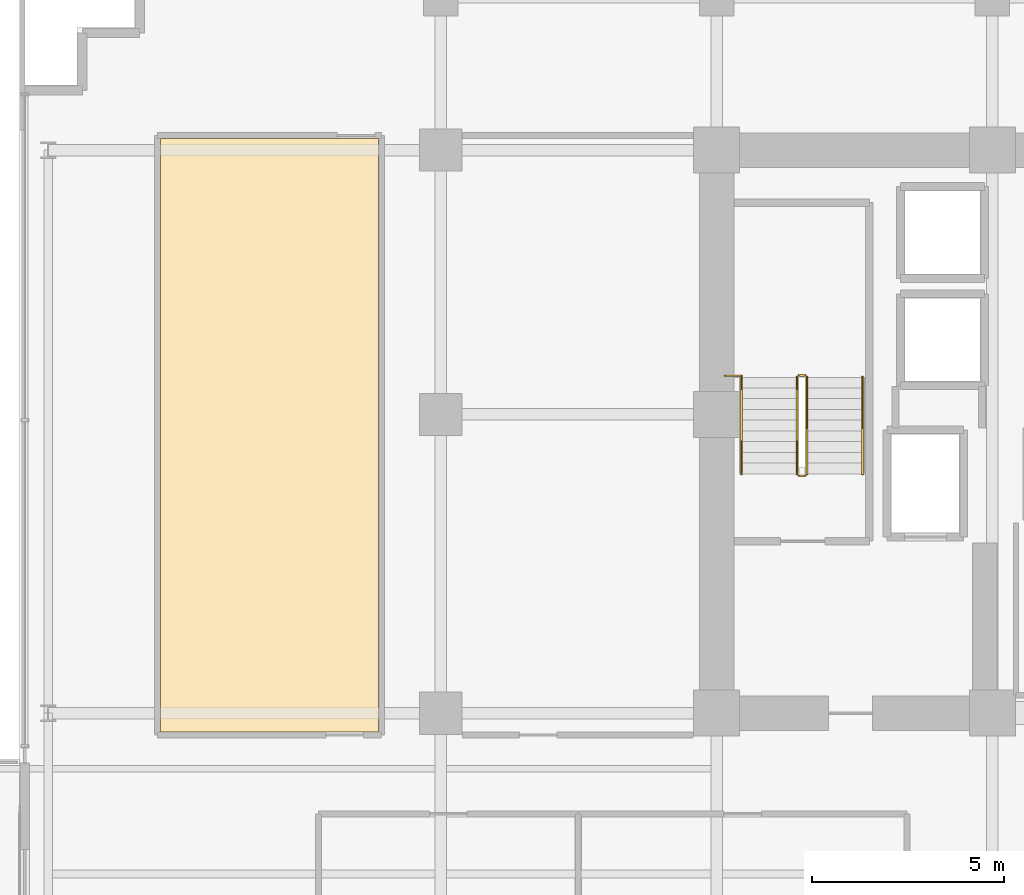
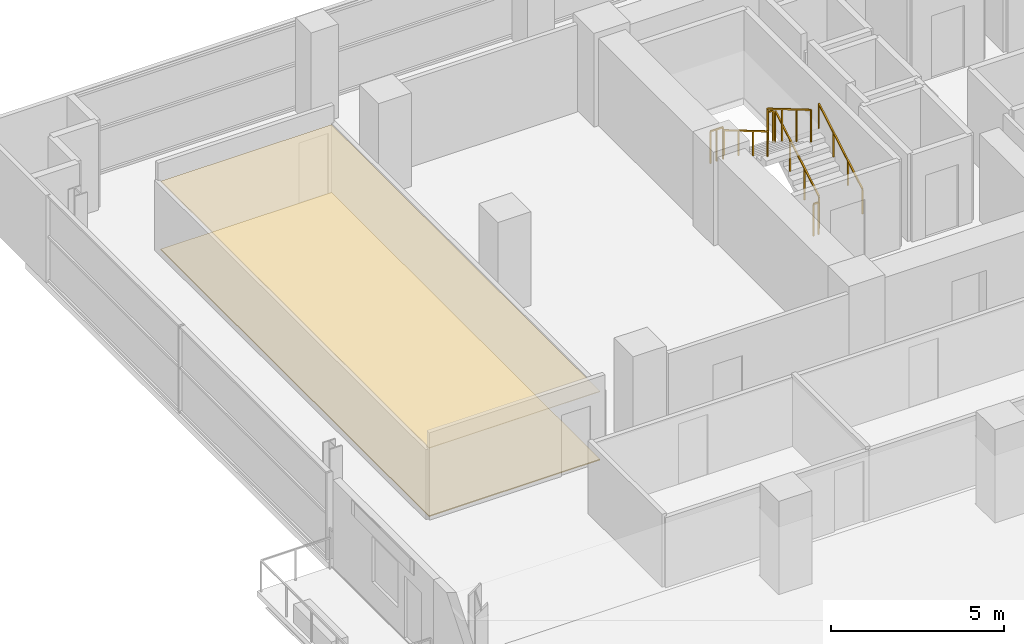
# One storey, part 28 of 31: 7 railings, 2 coverings.
"""IFC4 building model written with IfcOpenShell, lengths in metres."""

import ifcopenshell
import ifcopenshell.guid

model = None  # the IFC model being written
_history = None  # IfcOwnerHistory: only IFC2X3 demands one
_inside = {}  # id of a spatial element -> (the spatial element, [elements in it])
_under = {}  # id of a project, library or spatial element -> (it, [spatial elements below it])
_declared = {}  # id of a project -> (the project, [libraries it declares])
_typed = {}  # id of a type object -> (the type object, [elements of that type])
_made_of = {}  # id of a material, layer set ... -> (it, [elements and type objects made of it])


def new_model(schema):
    """Start an empty IFC model of exactly this schema.

    Asked for "IFC4X3", IfcOpenShell would pick the latest addendum, in which some entities
    have other attributes; the version numbers below select the first issue.
    IFC2X3 requires an IfcOwnerHistory on every rooted entity: one is made here for all.
    """
    global model, _history
    if schema == "IFC4X3":
        model = ifcopenshell.file(schema_version=(4, 3, 0, 0))
    else:
        model = ifcopenshell.file(schema=schema)
    _inside.clear()
    _under.clear()
    _declared.clear()
    _typed.clear()
    _made_of.clear()
    _history = None
    if model.schema == "IFC2X3":
        org = make("IfcOrganization", Name="unknown")
        user = make(
            "IfcPersonAndOrganization",
            ThePerson=make("IfcPerson", FamilyName="unknown"),
            TheOrganization=org,
        )
        app = make(
            "IfcApplication",
            ApplicationDeveloper=org,
            Version="unknown",
            ApplicationFullName="unknown",
            ApplicationIdentifier="unknown",
        )
        _history = make(
            "IfcOwnerHistory",
            OwningUser=user,
            OwningApplication=app,
            ChangeAction="ADDED",
            CreationDate=0,
        )
    return model


def make(cls, **values):
    """One entity of the class cls with the attributes given. An attribute that is None is left unset."""
    return model.create_entity(
        cls, **{name: value for name, value in values.items() if value is not None}
    )


def rooted(cls, **values):
    """An entity with a GlobalId (a new one), such as an element, a storey or a relation."""
    return make(cls, GlobalId=ifcopenshell.guid.new(), OwnerHistory=_history, **values)


def si_unit(unit_type, name, prefix=None):
    """IfcSIUnit, for example si_unit("LENGTHUNIT", "METRE", prefix="MILLI")."""
    return make("IfcSIUnit", UnitType=unit_type, Prefix=prefix, Name=name)


def assignment(units):
    """IfcUnitAssignment: the units of a project."""
    return None if units is None else make("IfcUnitAssignment", Units=units)


def point(xyz):
    """IfcCartesianPoint."""
    return None if xyz is None else make("IfcCartesianPoint", Coordinates=xyz)


def direction(xyz):
    """IfcDirection."""
    return None if xyz is None else make("IfcDirection", DirectionRatios=xyz)


def frame(location, z_axis=None, x_axis=None):
    """IfcAxis2Placement3D, a coordinate frame: its origin and axes. An axis left out is left unset."""
    return make(
        "IfcAxis2Placement3D",
        Location=point(location),
        Axis=direction(z_axis),
        RefDirection=direction(x_axis),
    )


def frame_2d(location, x_axis=None):
    """IfcAxis2Placement2D, a coordinate frame in the plane: its origin and x axis."""
    return make(
        "IfcAxis2Placement2D", Location=point(location), RefDirection=direction(x_axis)
    )


def origin():
    """The frame at (0, 0, 0) with its axes left unset."""
    return frame((0.0, 0.0, 0.0))


def origin_2d():
    """The frame at (0, 0) in the plane with its x axis left unset."""
    return frame_2d((0.0, 0.0))


def place(relative_to, where):
    """IfcLocalPlacement: puts the frame where relative to a parent placement (None: the world)."""
    return make(
        "IfcLocalPlacement", PlacementRelTo=relative_to, RelativePlacement=where
    )


def context(
    kind, dimensions, precision=None, world=None, true_north=None, identifier=None
):
    """IfcGeometricRepresentationContext, for example the 3D "Model" context."""
    return make(
        "IfcGeometricRepresentationContext",
        ContextIdentifier=identifier,
        ContextType=kind,
        CoordinateSpaceDimension=dimensions,
        Precision=precision,
        WorldCoordinateSystem=world,
        TrueNorth=true_north,
    )


def subcontext(parent, identifier, kind, view, scale=None):
    """IfcGeometricRepresentationSubContext, for example "Body" below "Model"."""
    return make(
        "IfcGeometricRepresentationSubContext",
        ContextIdentifier=identifier,
        ContextType=kind,
        ParentContext=parent,
        TargetScale=scale,
        TargetView=view,
    )


def project(units=None, contexts=None):
    """IfcProject with its units and contexts."""
    return rooted(
        "IfcProject",
        Name="project",
        RepresentationContexts=contexts,
        UnitsInContext=assignment(units),
    )


def spatial(cls, under=None, at=None, **own):
    """A site, building, storey or space (cls), placed at a placement, below another one or the project."""
    s = rooted(cls, ObjectPlacement=at, **own)
    if under is not None:
        _under.setdefault(under.id(), (under, []))[1].append(s)
    return s


def polyline(points):
    """IfcPolyline through the points."""
    return make("IfcPolyline", Points=[point(p) for p in points])


def profile(cls, at=None, kind="AREA", **sizes):
    """A parametric profile (cls). Its sizes go by their IFC names, for example OverallWidth=200.0."""
    return make(cls, ProfileType=kind, Position=at, **sizes)


def rectangle(**sizes):
    """IfcRectangleProfileDef."""
    return profile("IfcRectangleProfileDef", **sizes)


def outline(outer, holes=None, kind="AREA"):
    """IfcArbitraryClosedProfileDef: a profile drawn as a closed curve; with holes, ...WithVoids."""
    if holes is None:
        return make("IfcArbitraryClosedProfileDef", ProfileType=kind, OuterCurve=outer)
    return make(
        "IfcArbitraryProfileDefWithVoids",
        ProfileType=kind,
        OuterCurve=outer,
        InnerCurves=holes,
    )


def extrude(swept, where, along, depth):
    """IfcExtrudedAreaSolid: the profile swept, set in the frame where, extruded along a direction by depth."""
    return make(
        "IfcExtrudedAreaSolid",
        SweptArea=swept,
        Position=where,
        ExtrudedDirection=direction(along),
        Depth=depth,
    )


def shape(context_of_items, identifier, shape_type, items):
    """IfcShapeRepresentation: the items that make up one representation, for example the "Body"."""
    return make(
        "IfcShapeRepresentation",
        ContextOfItems=context_of_items,
        RepresentationIdentifier=identifier,
        RepresentationType=shape_type,
        Items=items,
    )


def material(Name=None, Category=None):
    """IfcMaterial."""
    return make("IfcMaterial", Name=Name, Category=Category)


def layer(
    of_material, thickness, ventilated=None, Name=None, Category=None, Priority=None
):
    """IfcMaterialLayer: one layer of a wall or slab, of a material (None: an air gap)."""
    return make(
        "IfcMaterialLayer",
        Material=of_material,
        LayerThickness=thickness,
        IsVentilated=ventilated,
        Name=Name,
        Category=Category,
        Priority=Priority,
    )


def layer_set(layers, Name=None):
    """IfcMaterialLayerSet."""
    return make("IfcMaterialLayerSet", MaterialLayers=layers, LayerSetName=Name)


def made_of(thing, what):
    """Note that an element or type object is made of a material, layer set ...; save() writes the relation."""
    if what is not None:
        _made_of.setdefault(what.id(), (what, []))[1].append(thing)
    return thing


def type_object(cls, material=None, **own):
    """A type object (cls), such as IfcWallType, which elements share."""
    return made_of(rooted(cls, **own), material)


def element(
    cls,
    number,
    at=None,
    inside=None,
    cuts=None,
    type_object=None,
    material=None,
    context=None,
    identifier="Body",
    shape_type=None,
    held_by="IfcProductDefinitionShape",
    body=None,
    shapes=None,
    **own,
):
    """One element of the class cls, such as IfcWall. Its Tag is "e" and its number.

    at: its placement. inside: the storey or other place that contains it. cuts: it is an
    opening in that element (IfcRelVoidsElement). A single representation is given by context,
    identifier, shape_type and body (its items); several are given by shapes. held_by: the class
    of the entity that holds the representations. save() writes the other relations.
    """
    e = rooted(cls, Tag="e%d" % number, ObjectPlacement=at, **own)
    if body is not None:
        shapes = [shape(context, identifier, shape_type, body)]
    if shapes is not None:
        e.Representation = make(held_by, Representations=shapes)
    if inside is not None:
        _inside.setdefault(inside.id(), (inside, []))[1].append(e)
    if cuts is not None:
        rooted(
            "IfcRelVoidsElement", RelatingBuildingElement=cuts, RelatedOpeningElement=e
        )
    if type_object is not None:
        _typed.setdefault(type_object.id(), (type_object, []))[1].append(e)
    return made_of(e, material)


def aggregate(whole, parts):
    """IfcRelAggregates: a whole, such as a stair, and the parts it consists of."""
    return rooted("IfcRelAggregates", RelatingObject=whole, RelatedObjects=parts)


def save(model, path):
    """Write the relations noted so far, then the file.

    IfcRelAggregates (storeys below a building ...), IfcRelContainedInSpatialStructure (elements
    in a storey), IfcRelDefinesByType, IfcRelAssociatesMaterial and IfcRelDeclares: one each for
    every whole, place, type object, material and project.
    """
    for whole, parts in _under.values():
        aggregate(whole, parts)
    for where, things in _inside.values():
        rooted(
            "IfcRelContainedInSpatialStructure",
            RelatedElements=things,
            RelatingStructure=where,
        )
    for kind, things in _typed.values():
        rooted("IfcRelDefinesByType", RelatedObjects=things, RelatingType=kind)
    for what, things in _made_of.values():
        rooted("IfcRelAssociatesMaterial", RelatedObjects=things, RelatingMaterial=what)
    for by, libraries in _declared.values():
        rooted("IfcRelDeclares", RelatingContext=by, RelatedDefinitions=libraries)
    model.write(path)


model = new_model("IFC4")

# Units and contexts
model_context = context("Model", 3, precision=1e-05, world=origin(), true_north=direction((0.0, 1.0)))
body_context = subcontext(model_context, "Body", "Model", "MODEL_VIEW")
ifc_project = project(units=[si_unit("LENGTHUNIT", "METRE"), si_unit("AREAUNIT", "SQUARE_METRE"), si_unit("VOLUMEUNIT", "CUBIC_METRE"), si_unit("PLANEANGLEUNIT", "RADIAN"), si_unit("MASSUNIT", "GRAM", prefix="KILO")], contexts=[model_context])

# Site, building, storey
site_placement = place(None, origin())
site = spatial("IfcSite", under=ifc_project, at=site_placement, CompositionType="ELEMENT")
building_placement = place(site_placement, origin())
building = spatial("IfcBuilding", under=site, at=building_placement, Name="Zarnakvel Exchange Tower", CompositionType="ELEMENT")
storey_placement = place(building_placement, frame((0.0, 0.0, 47.199951171875)))
storey = spatial("IfcBuildingStorey", under=building, at=storey_placement, Name="L12", CompositionType="ELEMENT", Elevation=47.199951171875)

# Coverings
ifc_material_1 = material(Name="Perforated Bronze Acoustic Metal Ceiling", Category="aluminium")
ifc_layer_1 = layer(ifc_material_1, 0.02001953125)
ifc_layer_set_1 = layer_set([ifc_layer_1], Name="Perforated Bronze Acoustic Metal Ceiling")
covering_type_1 = type_object("IfcCoveringType", Name="CLG-01", PredefinedType="CEILING", material=ifc_layer_set_1)
covering_1_placement = place(storey_placement, frame((0.0, 0.0, 2.405029296875)))
element("IfcCovering", 1, at=covering_1_placement, inside=storey, type_object=covering_type_1, Name="L12 Suspended Acoustic Ceiling (Staff Pantry)", PredefinedType="CEILING", context=body_context, shape_type="SweptSolid", body=[
    extrude(outline(polyline([(-28.916259765625, 13.800048828125), (-23.222900390625, 13.800048828125), (-23.222900390625, -1.68994140625), (-28.916259765625, -1.68994140625), (-28.916259765625, 13.800048828125)])), origin(), (0.0, 0.0, 1.0), 0.02001953125),
])
ifc_material_2 = material(Name="Heavy-Duty Raised Access Floor Panel", Category="steel")
ifc_layer_2 = layer(ifc_material_2, 0.034912109375)
ifc_layer_set_2 = layer_set([ifc_layer_2], Name="Heavy-Duty Raised Access Floor Panel")
covering_type_2 = type_object("IfcCoveringType", Name="FLR-02", PredefinedType="FLOORING", material=ifc_layer_set_2)
covering_2_placement = place(storey_placement, origin())
element("IfcCovering", 2, at=covering_2_placement, inside=storey, type_object=covering_type_2, Name="L12 Floor Finish (Staff Pantry)", PredefinedType="FLOORING", context=body_context, shape_type="SweptSolid", body=[
    extrude(outline(polyline([(-28.916259765625, 13.800048828125), (-23.222900390625, 13.800048828125), (-23.222900390625, -1.68994140625), (-28.916259765625, -1.68994140625), (-28.916259765625, 13.800048828125)])), origin(), (0.0, 0.0, 1.0), 0.03515625),
])

# Railings
ifc_material_3 = material(Name="Brushed Stainless Steel", Category="steel")
railing_type_1 = type_object("IfcRailingType", Name="HR-01", PredefinedType="HANDRAIL", material=ifc_material_3)
railing_1_placement = place(storey_placement, frame((-10.590087890625, 5.050048828125, 0.1650390625)))
element("IfcRailing", 3, at=railing_1_placement, inside=storey, type_object=railing_type_1, Name="L12 ST-01 stair handrail 1", PredefinedType="HANDRAIL", context=body_context, shape_type="SweptSolid", body=[
    extrude(rectangle(XDim=0.048095703125, YDim=0.048095703125, at=origin_2d()), frame((0.0, 0.0, 0.8759765625), z_axis=(0.0, 0.86152411907, 0.507716645641), x_axis=(-1.0, 0.0, 0.0)), (0.0, 0.0, 1.0), 2.925048828125),
    extrude(rectangle(XDim=0.0419921875, YDim=0.0419921875, at=origin_2d()), origin(), (0.0, 0.0, 1.0), 0.851806640625),
    extrude(rectangle(XDim=0.0419921875, YDim=0.0419921875, at=origin_2d()), frame((0.0, 0.840087890625, 0.4951171875)), (0.0, 0.0, 1.0), 0.851806640625),
    extrude(rectangle(XDim=0.0419921875, YDim=0.0419921875, at=origin_2d()), frame((0.0, 1.679931640625, 0.989990234375)), (0.0, 0.0, 1.0), 0.851806640625),
    extrude(rectangle(XDim=0.0419921875, YDim=0.0419921875, at=origin_2d()), frame((0.0, 2.52001953125, 1.485107421875)), (0.0, 0.0, 1.0), 0.851806640625),
])
railing_2_placement = place(storey_placement, frame((-13.75, 7.570068359375, 1.81494140625)))
element("IfcRailing", 4, at=railing_2_placement, inside=storey, type_object=railing_type_1, Name="L12 ST-01 stair handrail 2", PredefinedType="HANDRAIL", context=body_context, shape_type="SweptSolid", body=[
    extrude(rectangle(XDim=0.048095703125, YDim=0.048095703125, at=origin_2d()), frame((0.0, 0.0, 0.8759765625), z_axis=(0.0, -0.86152411907, 0.507716645641), x_axis=(1.0, 0.0, 0.0)), (0.0, 0.0, 1.0), 2.925048828125),
    extrude(rectangle(XDim=0.0419921875, YDim=0.0419921875, at=origin_2d()), origin(), (0.0, 0.0, 1.0), 0.851806640625),
    extrude(rectangle(XDim=0.0419921875, YDim=0.0419921875, at=origin_2d()), frame((0.0, -0.840087890625, 0.4951171875)), (0.0, 0.0, 1.0), 0.851806640625),
    extrude(rectangle(XDim=0.0419921875, YDim=0.0419921875, at=origin_2d()), frame((0.0, -1.679931640625, 0.989990234375)), (0.0, 0.0, 1.0), 0.851806640625),
    extrude(rectangle(XDim=0.0419921875, YDim=0.0419921875, at=origin_2d()), frame((0.0, -2.52001953125, 1.485107421875)), (0.0, 0.0, 1.0), 0.851806640625),
])
ifc_material_4 = material(Name="Architectural Bronze Anodised Aluminium", Category="aluminium")
railing_type_2 = type_object("IfcRailingType", Name="SG-01", PredefinedType="GUARDRAIL", material=ifc_material_4)
railing_3_placement = place(storey_placement, frame((-12.0400390625, 5.050048828125, 0.1650390625)))
element("IfcRailing", 5, at=railing_3_placement, inside=storey, type_object=railing_type_2, Name="L12 ST-01 stair guard 1", PredefinedType="GUARDRAIL", context=body_context, shape_type="SweptSolid", body=[
    extrude(rectangle(XDim=0.048095703125, YDim=0.048095703125, at=origin_2d()), frame((0.0, 0.0, 1.1259765625), z_axis=(0.0, 0.86152411907, 0.507716645641), x_axis=(-1.0, 0.0, 0.0)), (0.0, 0.0, 1.0), 2.925048828125),
    extrude(rectangle(XDim=0.0419921875, YDim=0.0419921875, at=origin_2d()), origin(), (0.0, 0.0, 1.0), 1.101806640625),
    extrude(rectangle(XDim=0.0419921875, YDim=0.0419921875, at=origin_2d()), frame((0.0, 0.840087890625, 0.4951171875)), (0.0, 0.0, 1.0), 1.101806640625),
    extrude(rectangle(XDim=0.0419921875, YDim=0.0419921875, at=origin_2d()), frame((0.0, 1.679931640625, 0.989990234375)), (0.0, 0.0, 1.0), 1.101806640625),
    extrude(rectangle(XDim=0.0419921875, YDim=0.0419921875, at=origin_2d()), frame((0.0, 2.52001953125, 1.485107421875)), (0.0, 0.0, 1.0), 1.101806640625),
])
railing_4_placement = place(storey_placement, frame((-12.090087890625, 7.6201171875, 1.650146484375)))
element("IfcRailing", 6, at=railing_4_placement, inside=storey, type_object=railing_type_2, Name="L12 ST-01 stair guard 2", PredefinedType="GUARDRAIL", context=body_context, shape_type="SweptSolid", body=[
    extrude(rectangle(XDim=0.048095703125, YDim=0.048095703125, at=origin_2d()), frame((0.0, 0.0, 1.1259765625), z_axis=(-1.0, 0.0, 0.0), x_axis=(0.0, -1.0, 0.0)), (0.0, 0.0, 1.0), 0.159912109375),
    extrude(rectangle(XDim=0.0419921875, YDim=0.0419921875, at=origin_2d()), origin(), (0.0, 0.0, 1.0), 1.101806640625),
    extrude(rectangle(XDim=0.0419921875, YDim=0.0419921875, at=origin_2d()), frame((-0.159912109375, 0.0, 0.0)), (0.0, 0.0, 1.0), 1.101806640625),
])
railing_5_placement = place(storey_placement, frame((-12.300048828125, 7.570068359375, 1.81494140625)))
element("IfcRailing", 7, at=railing_5_placement, inside=storey, type_object=railing_type_2, Name="L12 ST-01 stair guard 3", PredefinedType="GUARDRAIL", context=body_context, shape_type="SweptSolid", body=[
    extrude(rectangle(XDim=0.048095703125, YDim=0.048095703125, at=origin_2d()), frame((0.0, 0.0, 1.1259765625), z_axis=(0.0, -0.86152411907, 0.507716645641), x_axis=(1.0, 0.0, 0.0)), (0.0, 0.0, 1.0), 2.925048828125),
    extrude(rectangle(XDim=0.0419921875, YDim=0.0419921875, at=origin_2d()), origin(), (0.0, 0.0, 1.0), 1.101806640625),
    extrude(rectangle(XDim=0.0419921875, YDim=0.0419921875, at=origin_2d()), frame((0.0, -0.840087890625, 0.4951171875)), (0.0, 0.0, 1.0), 1.101806640625),
    extrude(rectangle(XDim=0.0419921875, YDim=0.0419921875, at=origin_2d()), frame((0.0, -1.679931640625, 0.989990234375)), (0.0, 0.0, 1.0), 1.101806640625),
    extrude(rectangle(XDim=0.0419921875, YDim=0.0419921875, at=origin_2d()), frame((0.0, -2.52001953125, 1.485107421875)), (0.0, 0.0, 1.0), 1.101806640625),
])
railing_6_placement = place(storey_placement, frame((-12.090087890625, 5.0, 0.0)))
element("IfcRailing", 8, at=railing_6_placement, inside=storey, type_object=railing_type_2, Name="L12 ST-01 stair guard 4", PredefinedType="GUARDRAIL", context=body_context, shape_type="SweptSolid", body=[
    extrude(rectangle(XDim=0.048095703125, YDim=0.048095703125, at=origin_2d()), frame((0.0, 0.0, 1.1259765625), z_axis=(-1.0, 0.0, 0.0), x_axis=(0.0, -1.0, 0.0)), (0.0, 0.0, 1.0), 0.159912109375),
    extrude(rectangle(XDim=0.0419921875, YDim=0.0419921875, at=origin_2d()), origin(), (0.0, 0.0, 1.0), 1.101806640625),
    extrude(rectangle(XDim=0.0419921875, YDim=0.0419921875, at=origin_2d()), frame((-0.159912109375, 0.0, 0.0)), (0.0, 0.0, 1.0), 1.101806640625),
])
railing_7_placement = place(storey_placement, frame((-14.179931640625, 7.610107421875, 1.650146484375)))
element("IfcRailing", 9, at=railing_7_placement, inside=storey, type_object=railing_type_2, Name="L12 ST-01 Landing Slot Guardrail", PredefinedType="GUARDRAIL", context=body_context, shape_type="SweptSolid", body=[
    extrude(rectangle(XDim=0.048095703125, YDim=0.048095703125, at=origin_2d()), frame((0.0, 0.0, 1.1259765625), z_axis=(1.0, 0.0, 0.0), x_axis=(0.0, 1.0, 0.0)), (0.0, 0.0, 1.0), 0.429931640625),
    extrude(rectangle(XDim=0.0419921875, YDim=0.0419921875, at=origin_2d()), origin(), (0.0, 0.0, 1.0), 1.101806640625),
    extrude(rectangle(XDim=0.0419921875, YDim=0.0419921875, at=origin_2d()), frame((0.21484375, 0.0, 0.0)), (0.0, 0.0, 1.0), 1.101806640625),
    extrude(rectangle(XDim=0.0419921875, YDim=0.0419921875, at=origin_2d()), frame((0.429931640625, 0.0, 0.0)), (0.0, 0.0, 1.0), 1.101806640625),
])

save(model, "model.ifc")
